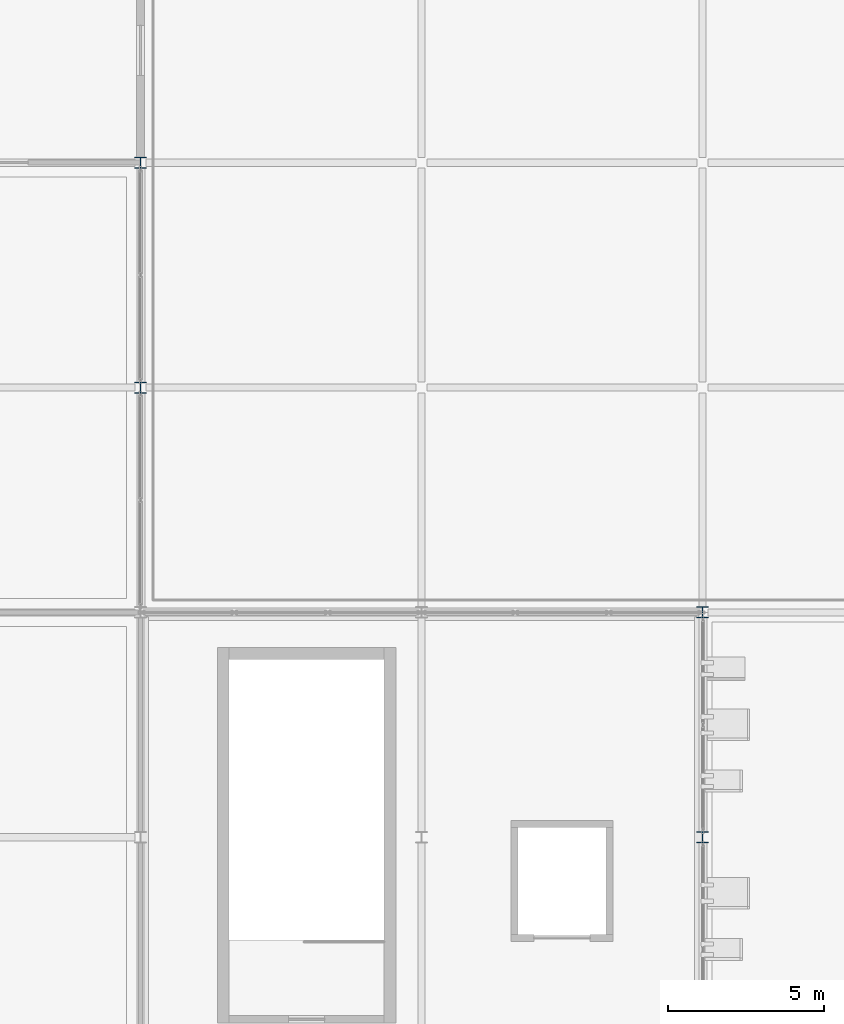
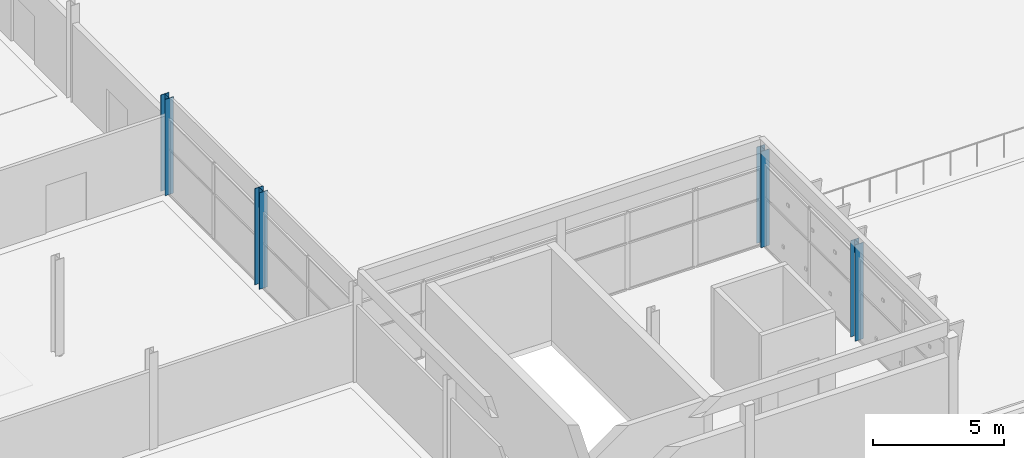
# One storey, part 5 of 78: 4 columns.
"""IFC4 building model written with IfcOpenShell, lengths in metres."""

from ifc_helpers import new_model, si_unit, direction, frame, origin, origin_2d, place, context, subcontext, project, spatial, i_section, extrude, material, material_profile, profile_set, type_object, element, save


model = new_model("IFC4")

# Units and contexts
model_context = context("Model", 3, precision=1e-05, world=origin(), true_north=direction((0.0, 1.0)))
body_context = subcontext(model_context, "Body", "Model", "MODEL_VIEW")
ifc_project = project(units=[si_unit("LENGTHUNIT", "METRE"), si_unit("AREAUNIT", "SQUARE_METRE"), si_unit("VOLUMEUNIT", "CUBIC_METRE"), si_unit("PLANEANGLEUNIT", "RADIAN"), si_unit("MASSUNIT", "GRAM", prefix="KILO")], contexts=[model_context])

# Site, building, storey
site_placement = place(None, origin())
site = spatial("IfcSite", under=ifc_project, at=site_placement, CompositionType="ELEMENT")
building_placement = place(site_placement, origin())
building = spatial("IfcBuilding", under=site, at=building_placement, Name="Celestram Park Convention Centre", CompositionType="ELEMENT")
storey_placement = place(building_placement, frame((0.0, 0.0, 19.800048828125)))
storey = spatial("IfcBuildingStorey", under=building, at=storey_placement, Name="L04", CompositionType="ELEMENT", Elevation=19.800048828125)

# Columns
ifc_material = material(Name="Steel ASTM A992 Grade 50", Category="steel")
ifc_material_profile = material_profile(ifc_material, i_section(OverallWidth=0.367919921875, OverallDepth=0.35595703125, WebThickness=0.01123046875, FlangeThickness=0.01806640625, at=origin_2d()), Name="W14X90")
ifc_profile_set = profile_set([ifc_material_profile], Name="Steel ASTM A992 Grade 50")
column_type = type_object("IfcColumnType", Name="STR-COL-W14X90", PredefinedType="COLUMN", material=ifc_profile_set)
for number, where, z_axis, x_axis, name in (
    (1, (99.0, 129.60009765625, 0.0), (0.0, 0.0, 1.0), (1.0, 0.0, 0.0), "Column CN-L04-064"),
    (2, (99.0, 136.800048828125, 0.0), (0.0, 0.0, 1.0), (1.0, 0.0, 0.0), "Column CN-L04-065"),
    (3, (117.0, 115.199951171875, 0.0), (0.0, 0.0, 1.0), (1.0, 0.0, 0.0), "Column CN-L04-074"),
    (4, (117.0, 122.39990234375, 0.0), (0.0, 0.0, 1.0), (1.0, 0.0, 0.0), "Column CN-L04-075"),
):
    element("IfcColumn", number, at=place(storey_placement, frame(where, z_axis=z_axis, x_axis=x_axis)), inside=storey, type_object=column_type, Name=name, PredefinedType="COLUMN", context=body_context, shape_type="SweptSolid", body=[
        extrude(i_section(OverallWidth=0.367919921875, OverallDepth=0.35595703125, WebThickness=0.01123046875, FlangeThickness=0.01806640625, at=origin_2d()), origin(), (0.0, 0.0, 1.0), 4.5),
    ])

save(model, "model.ifc")
